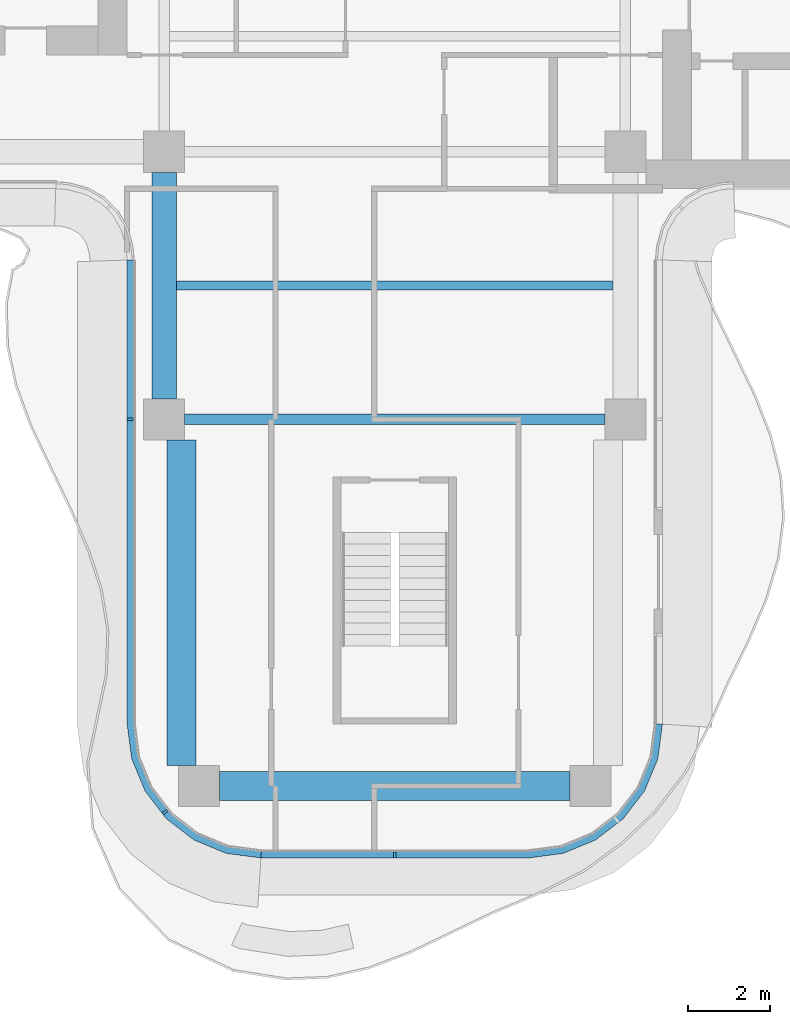
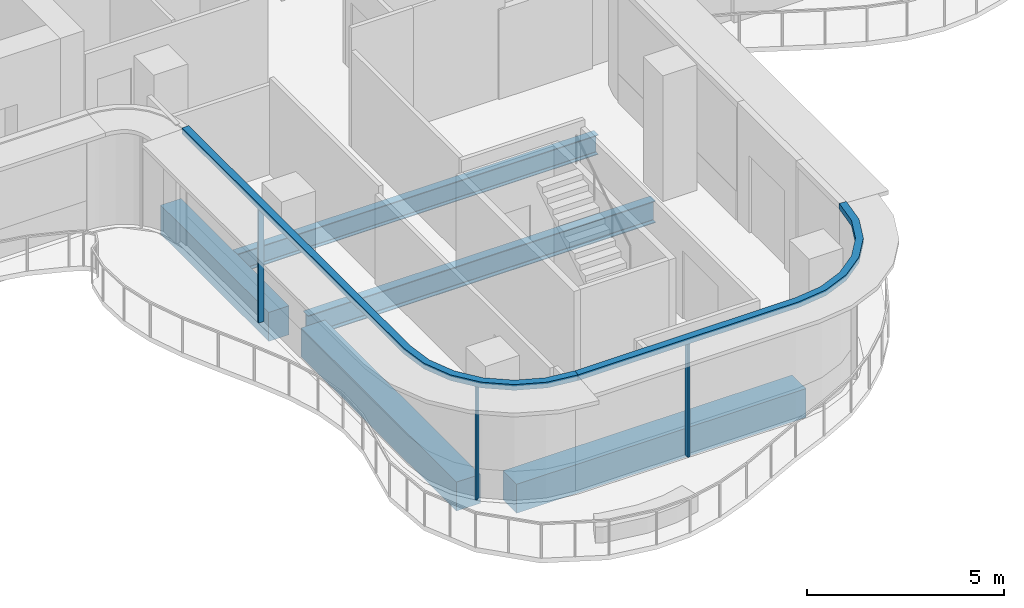
# One storey, part 2 of 16: 5 beams, 5 members, 2 elements without a shape of their own.
"""IFC4 building model written with IfcOpenShell, lengths in metres."""

from ifc_helpers import new_model, si_unit, direction, frame, origin, origin_2d, place, context, subcontext, project, spatial, polyline, rectangle, i_section, outline, extrude, source, transform, mapped, material, layer, layer_set, material_profile, profile_set, type_object, element, aggregate, save


model = new_model("IFC4")

# Units and contexts
model_context = context("Model", 3, precision=1e-05, world=origin(), true_north=direction((0.0, 1.0)))
body_context = subcontext(model_context, "Body", "Model", "MODEL_VIEW")
ifc_project = project(units=[si_unit("LENGTHUNIT", "METRE"), si_unit("AREAUNIT", "SQUARE_METRE"), si_unit("VOLUMEUNIT", "CUBIC_METRE"), si_unit("PLANEANGLEUNIT", "RADIAN"), si_unit("MASSUNIT", "GRAM", prefix="KILO")], contexts=[model_context])

# Site, building, storey
site_placement = place(None, origin())
site = spatial("IfcSite", under=ifc_project, at=site_placement, CompositionType="ELEMENT")
building_placement = place(site_placement, origin())
building = spatial("IfcBuilding", under=site, at=building_placement, Name="Trellis Farm Tower", CompositionType="ELEMENT")
storey_placement = place(building_placement, frame((0.0, 0.0, 318.39990234375)))
storey = spatial("IfcBuildingStorey", under=building, at=storey_placement, Name="L72", CompositionType="ELEMENT", Elevation=318.39990234375)

# Beams
ifc_material_1 = material(Name="Steel S355", Category="steel")
ifc_material_profile_1 = material_profile(ifc_material_1, i_section(OverallWidth=0.22900390625, OverallDepth=0.6123046875, WebThickness=0.011962890625, FlangeThickness=0.01953125, FilletRadius=0.0126953125, at=origin_2d()), Name="UB 610x229x125")
ifc_profile_set_1 = profile_set([ifc_material_profile_1], Name="Steel S355")
beam_type_1 = type_object("IfcBeamType", Name="UB 610x229x125 joist", PredefinedType="JOIST", material=ifc_profile_set_1)
shared_shape_1 = source(origin(), body_context, "Body", "SweptSolid", [
    extrude(i_section(OverallWidth=0.22900390625, OverallDepth=0.6123046875, WebThickness=0.011962890625, FlangeThickness=0.01953125, FilletRadius=0.0126953125, at=origin_2d()), origin(), (0.0, 0.0, 1.0), 10.60009765625),
])
beam_1_placement = place(storey_placement, frame((-5.300048828125, -8.85009765625, -0.506103515625), z_axis=(1.0, 0.0, 0.0), x_axis=(0.0, 1.0, 0.0)))
element("IfcBeam", 1, at=beam_1_placement, inside=storey, type_object=beam_type_1, Name="Floor beam", PredefinedType="JOIST", context=body_context, shape_type="MappedRepresentation", body=[
    mapped(shared_shape_1, transform((0.0, 0.0, 0.0))),
])
ifc_material_profile_2 = material_profile(ifc_material_1, i_section(OverallWidth=0.253662109375, OverallDepth=0.68359375, WebThickness=0.012451171875, FlangeThickness=0.021728515625, FilletRadius=0.01513671875, at=origin_2d()), Name="UB 686x254x140")
ifc_profile_set_2 = profile_set([ifc_material_profile_2], Name="Steel S355")
beam_type_2 = type_object("IfcBeamType", Name="UB 686x254x140", PredefinedType="BEAM", material=ifc_profile_set_2)
shared_shape_2 = source(origin(), body_context, "Body", "SweptSolid", [
    extrude(i_section(OverallWidth=0.253662109375, OverallDepth=0.68359375, WebThickness=0.012451171875, FlangeThickness=0.021728515625, FilletRadius=0.01513671875, at=origin_2d()), origin(), (0.0, 0.0, 1.0), 10.2001953125),
])
beam_2_placement = place(storey_placement, frame((-5.10009765625, -12.10009765625, -0.541748046875), z_axis=(1.0, 0.0, 0.0), x_axis=(0.0, 1.0, 0.0)))
element("IfcBeam", 2, at=beam_2_placement, inside=storey, type_object=beam_type_2, Name="Girder", PredefinedType="BEAM", context=body_context, shape_type="MappedRepresentation", body=[
    mapped(shared_shape_2, transform((0.0, 0.0, 0.0))),
])
ifc_material_2 = material(Name="Concrete C60/75", Category="concrete")
ifc_material_profile_3 = material_profile(ifc_material_2, rectangle(XDim=0.60009765625, YDim=0.89990234375, at=origin_2d()), Name="RC spandrel beam 600x900 C60/75")
ifc_profile_set_3 = profile_set([ifc_material_profile_3], Name="Concrete C60/75")
beam_type_3 = type_object("IfcBeamType", Name="RC spandrel beam 600x900 C60/75", PredefinedType="SPANDREL", material=ifc_profile_set_3)
shared_shape_3 = source(origin(), body_context, "Body", "SweptSolid", [
    extrude(rectangle(XDim=0.60009765625, YDim=0.89990234375, at=origin_2d()), origin(), (0.0, 0.0, 1.0), 5.5),
])
beam_3_placement = place(storey_placement, frame((-5.60009765625, -11.60009765625, -0.64990234375), z_axis=(0.0, 1.0, 0.0), x_axis=(-1.0, 0.0, 0.0)))
element("IfcBeam", 3, at=beam_3_placement, inside=storey, type_object=beam_type_3, Name="Girder", PredefinedType="SPANDREL", context=body_context, shape_type="MappedRepresentation", body=[
    mapped(shared_shape_3, transform((0.0, 0.0, 0.0))),
])
ifc_material_profile_4 = material_profile(ifc_material_2, rectangle(XDim=0.699951171875, YDim=0.89990234375, at=origin_2d()), Name="RC spandrel beam 700x900 C60/75")
ifc_profile_set_4 = profile_set([ifc_material_profile_4], Name="Concrete C60/75")
beam_type_4 = type_object("IfcBeamType", Name="RC spandrel beam 700x900 C60/75", PredefinedType="SPANDREL", material=ifc_profile_set_4)
shared_shape_4 = source(origin(), body_context, "Body", "SweptSolid", [
    extrude(rectangle(XDim=0.699951171875, YDim=0.89990234375, at=origin_2d()), origin(), (0.0, 0.0, 1.0), 8.5),
])
beam_4_placement = place(storey_placement, frame((-4.25, -21.0, -0.64990234375), z_axis=(1.0, 0.0, 0.0), x_axis=(0.0, 1.0, 0.0)))
element("IfcBeam", 4, at=beam_4_placement, inside=storey, type_object=beam_type_4, Name="Girder", PredefinedType="SPANDREL", context=body_context, shape_type="MappedRepresentation", body=[
    mapped(shared_shape_4, transform((0.0, 0.0, 0.0))),
])
shared_shape_5 = source(origin(), body_context, "Body", "SweptSolid", [
    extrude(rectangle(XDim=0.699951171875, YDim=0.89990234375, at=origin_2d()), origin(), (0.0, 0.0, 1.0), 7.89990234375),
])
beam_5_placement = place(storey_placement, frame((-5.175048828125, -20.5, -0.64990234375), z_axis=(0.0, 1.0, 0.0), x_axis=(-1.0, 0.0, 0.0)))
element("IfcBeam", 5, at=beam_5_placement, inside=storey, type_object=beam_type_4, Name="Girder", PredefinedType="SPANDREL", context=body_context, shape_type="MappedRepresentation", body=[
    mapped(shared_shape_5, transform((0.0, 0.0, 0.0))),
])

# Curtain wall, members
ifc_material_3 = material(Name="Aluminium and glass curtain wall", Category="aluminium")
ifc_layer_1 = layer(ifc_material_3, 0.18994140625)
ifc_layer_set_1 = layer_set([ifc_layer_1], Name="RIBBON CURTAIN WALL CW1")
curtain_wall_type = type_object("IfcCurtainWallType", Name="RIBBON CURTAIN WALL CW1", PredefinedType="NOTDEFINED", material=ifc_layer_set_1)
placement_1 = place(storey_placement, origin())
curtain_wall_1 = element("IfcCurtainWall", 6, at=placement_1, inside=storey, type_object=curtain_wall_type, Name="CW1 002", PredefinedType="NOTDEFINED")
ifc_material_4 = material(Name="Aluminium extrusion 6063-T6", Category="aluminium")
ifc_material_profile_5 = material_profile(ifc_material_4, rectangle(XDim=0.06005859375, YDim=0.14990234375, at=origin_2d()), Name="MULLION 60x150")
ifc_profile_set_5 = profile_set([ifc_material_profile_5], Name="Aluminium extrusion 6063-T6")
member_type_1 = type_object("IfcMemberType", Name="CW1 MULLION 60x150", PredefinedType="MULLION", material=ifc_profile_set_5)
shared_shape_6 = source(origin(), body_context, "Body", "SweptSolid", [
    extrude(rectangle(XDim=0.06005859375, YDim=0.14990234375, at=origin_2d()), origin(), (0.0, 0.0, 1.0), 3.52001953125),
])
member_1_placement = place(storey_placement, frame((-6.425048828125, -12.10009765625, 0.0), z_axis=(0.0, 0.0, 1.0), x_axis=(0.0, -1.0, 0.0)))
member_1 = element("IfcMember", 7, at=member_1_placement, type_object=member_type_1, Name="MU1 002-01", PredefinedType="MULLION", context=body_context, shape_type="MappedRepresentation", body=[
    mapped(shared_shape_6, transform((0.0, 0.0, 0.0))),
])
member_2_placement = place(storey_placement, frame((-5.578369140625, -21.635498046875, 0.0), z_axis=(0.0, 0.0, 1.0), x_axis=(0.608761429009, -0.793353340291, 0.0)))
member_2 = element("IfcMember", 8, at=member_2_placement, type_object=member_type_1, Name="MU1 002-02", PredefinedType="MULLION", context=body_context, shape_type="MappedRepresentation", body=[
    mapped(shared_shape_6, transform((0.0, 0.0, 0.0))),
])

# Curtain wall, member
curtain_wall_2 = element("IfcCurtainWall", 9, at=placement_1, inside=storey, type_object=curtain_wall_type, Name="CW1 003", PredefinedType="NOTDEFINED")
member_3_placement = place(storey_placement, frame((0.0, -22.675048828125, 0.0), z_axis=(0.0, 0.0, 1.0), x_axis=(1.0, 0.0, 0.0)))
member_3 = element("IfcMember", 10, at=member_3_placement, type_object=member_type_1, Name="MU1 003-01", PredefinedType="MULLION", context=body_context, shape_type="MappedRepresentation", body=[
    mapped(shared_shape_6, transform((0.0, 0.0, 0.0))),
])

# Member
ifc_layer_2 = layer(ifc_material_4, 0.199951171875)
ifc_layer_set_2 = layer_set([ifc_layer_2], Name="Aluminium extrusion 6063-T6")
member_type_2 = type_object("IfcMemberType", Name="CW1 TRANSOM 200x180", PredefinedType="USERDEFINED", material=ifc_layer_set_2)
shared_shape_7 = source(origin(), body_context, "Body", "SweptSolid", [
    extrude(outline(polyline([(-6.5, -8.2314453125), (-6.5, -19.5), (-6.38916015625, -20.341064453125), (-6.064697265625, -21.125), (-5.548095703125, -21.798095703125), (-4.875, -22.314697265625), (-4.091064453125, -22.63916015625), (-3.25, -22.75), (-3.23681640625, -22.550048828125), (-4.0390625, -22.4443359375), (-4.774169921875, -22.139892578125), (-5.405517578125, -21.655517578125), (-5.889892578125, -21.024169921875), (-6.1943359375, -20.2890625), (-6.300048828125, -19.48681640625), (-6.300048828125, -8.224853515625), (-6.5, -8.2314453125)])), origin(), (0.0, 0.0, 1.0), 0.18017578125),
])
placement_2 = place(storey_placement, frame((0.0, 0.0, 3.52001953125)))
member_4 = element("IfcMember", 11, at=placement_2, type_object=member_type_2, Name="TR1 002", ObjectType="TRANSOM", PredefinedType="USERDEFINED", context=body_context, shape_type="MappedRepresentation", body=[
    mapped(shared_shape_7, transform((0.0, 0.0, 0.0))),
])

aggregate(curtain_wall_1, [member_1, member_2, member_4])

shared_shape_8 = source(origin(), body_context, "Body", "SweptSolid", [
    extrude(outline(polyline([(-3.25, -22.75), (3.25, -22.75), (4.091064453125, -22.63916015625), (4.875, -22.314697265625), (5.548095703125, -21.798095703125), (6.064697265625, -21.125), (6.38916015625, -20.341064453125), (6.5, -19.5), (6.300048828125, -19.48681640625), (6.1943359375, -20.2890625), (5.889892578125, -21.024169921875), (5.405517578125, -21.655517578125), (4.774169921875, -22.139892578125), (4.0390625, -22.4443359375), (3.23681640625, -22.550048828125), (-3.23681640625, -22.550048828125), (-3.25, -22.75)])), origin(), (0.0, 0.0, 1.0), 0.18017578125),
])
member_5 = element("IfcMember", 12, at=placement_2, type_object=member_type_2, Name="TR1 003", ObjectType="TRANSOM", PredefinedType="USERDEFINED", context=body_context, shape_type="MappedRepresentation", body=[
    mapped(shared_shape_8, transform((0.0, 0.0, 0.0))),
])

aggregate(curtain_wall_2, [member_3, member_5])

save(model, "model.ifc")
